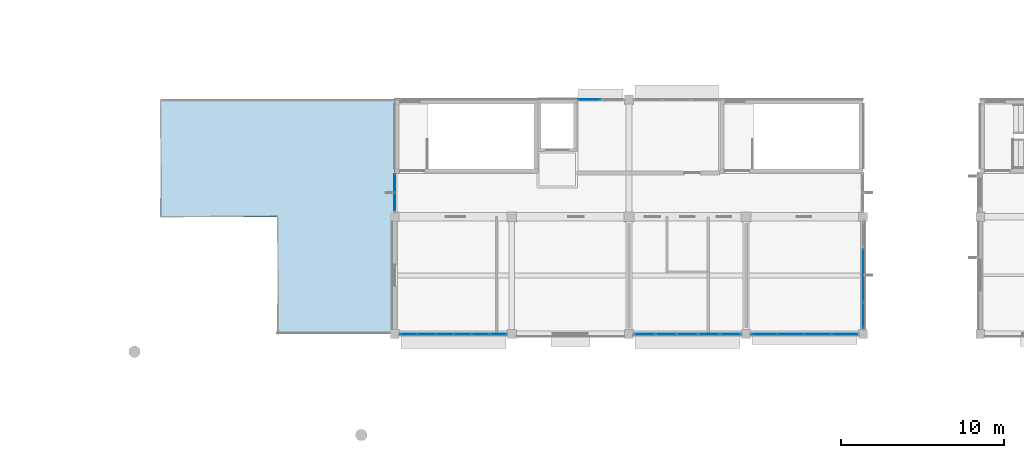
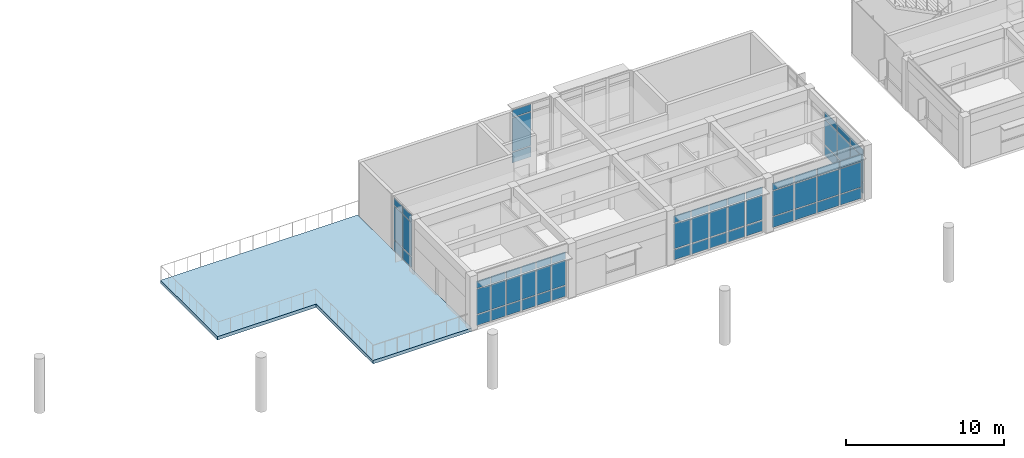
# One storey, part 13 of 41: 63 plates, 1 slab, 6 elements without a shape of their own.
"""IFC4 building model written with IfcOpenShell, lengths in metres."""

from ifc_helpers import new_model, si_unit, direction, frame, origin, origin_2d, place, context, subcontext, project, spatial, polyline, rectangle, outline, extrude, material, layer, layer_set, type_object, element, aggregate, save


model = new_model("IFC4")

# Units and contexts
model_context = context("Model", 3, precision=1e-05, world=origin(), true_north=direction((0.0, 1.0)))
body_context = subcontext(model_context, "Body", "Model", "MODEL_VIEW")
ifc_project = project(units=[si_unit("LENGTHUNIT", "METRE"), si_unit("AREAUNIT", "SQUARE_METRE"), si_unit("VOLUMEUNIT", "CUBIC_METRE"), si_unit("PLANEANGLEUNIT", "RADIAN"), si_unit("MASSUNIT", "GRAM", prefix="KILO")], contexts=[model_context])

# Site, building, storey
site_placement = place(None, origin())
site = spatial("IfcSite", under=ifc_project, at=site_placement, CompositionType="ELEMENT")
building_placement = place(site_placement, origin())
building = spatial("IfcBuilding", under=site, at=building_placement, Name="Namkhue Oval Health Centre", CompositionType="ELEMENT")
storey_placement = place(building_placement, frame((0.0, 0.0, 13.800048828125)))
storey = spatial("IfcBuildingStorey", under=building, at=storey_placement, Name="L03", CompositionType="ELEMENT", Elevation=13.800048828125)

# Curtain wall, plates
ifc_material_1 = material(Name="Anodised aluminium EN AW-6063 T6", Category="aluminium")
ifc_layer_1 = layer(ifc_material_1, 0.159912109375)
ifc_layer_set_1 = layer_set([ifc_layer_1], Name="Anodised aluminium EN AW-6063 T6")
curtain_wall_type_1 = type_object("IfcCurtainWallType", Name="UNITISED CURTAIN WALL M1200", PredefinedType="NOTDEFINED", material=ifc_layer_set_1)
curtain_wall_1_placement = place(storey_placement, origin())
curtain_wall_1 = element("IfcCurtainWall", 1, at=curtain_wall_1_placement, inside=storey, type_object=curtain_wall_type_1, Name="Volume V4 L03 Unitised Curtain Wall 169", PredefinedType="NOTDEFINED")
ifc_material_2 = material(Name="Thermally broken low-E laminated double glazing", Category="glass")
ifc_layer_2 = layer(ifc_material_2, 0.02587890625)
ifc_layer_set_2 = layer_set([ifc_layer_2], Name="Thermally broken low-E laminated double glazing")
plate_type_1 = type_object("IfcPlateType", Name="CURTAIN WALL GLAZED PANEL 26", PredefinedType="CURTAIN_PANEL", material=ifc_layer_set_2)
plate_1_placement = place(storey_placement, frame((58.45458984375, 14.39990234375, 0.06494140625), z_axis=(0.0, 0.0, 1.0), x_axis=(1.0, 0.0, 0.0)))
plate_1 = element("IfcPlate", 2, at=plate_1_placement, type_object=plate_type_1, Name="CW-01 panel 1.1", PredefinedType="CURTAIN_PANEL", context=body_context, shape_type="SweptSolid", body=[
    extrude(rectangle(XDim=1.007080078125, YDim=0.02587890625, at=origin_2d()), origin(), (0.0, 0.0, 1.0), 0.802490234375),
])
plate_2_placement = place(storey_placement, frame((58.45458984375, 14.39990234375, 0.932373046875), z_axis=(0.0, 0.0, 1.0), x_axis=(1.0, 0.0, 0.0)))
plate_2 = element("IfcPlate", 3, at=plate_2_placement, type_object=plate_type_1, Name="CW-01 panel 1.2", PredefinedType="CURTAIN_PANEL", context=body_context, shape_type="SweptSolid", body=[
    extrude(rectangle(XDim=1.007080078125, YDim=0.02587890625, at=origin_2d()), origin(), (0.0, 0.0, 1.0), 1.93505859375),
])
plate_3_placement = place(storey_placement, frame((58.45458984375, 14.39990234375, 2.9326171875), z_axis=(0.0, 0.0, 1.0), x_axis=(1.0, 0.0, 0.0)))
plate_3 = element("IfcPlate", 4, at=plate_3_placement, type_object=plate_type_1, Name="CW-01 panel 1.3", PredefinedType="CURTAIN_PANEL", context=body_context, shape_type="SweptSolid", body=[
    extrude(rectangle(XDim=1.007080078125, YDim=0.02587890625, at=origin_2d()), origin(), (0.0, 0.0, 1.0), 0.552490234375),
])
plate_4_placement = place(storey_placement, frame((59.54296875, 14.39990234375, 0.06494140625), z_axis=(0.0, 0.0, 1.0), x_axis=(1.0, 0.0, 0.0)))
plate_4 = element("IfcPlate", 5, at=plate_4_placement, type_object=plate_type_1, Name="CW-01 panel 2.1", PredefinedType="CURTAIN_PANEL", context=body_context, shape_type="SweptSolid", body=[
    extrude(rectangle(XDim=1.03955078125, YDim=0.02587890625, at=origin_2d()), origin(), (0.0, 0.0, 1.0), 0.802490234375),
])
plate_5_placement = place(storey_placement, frame((59.54296875, 14.39990234375, 0.932373046875), z_axis=(0.0, 0.0, 1.0), x_axis=(1.0, 0.0, 0.0)))
plate_5 = element("IfcPlate", 6, at=plate_5_placement, type_object=plate_type_1, Name="CW-01 panel 2.2", PredefinedType="CURTAIN_PANEL", context=body_context, shape_type="SweptSolid", body=[
    extrude(rectangle(XDim=1.03955078125, YDim=0.02587890625, at=origin_2d()), origin(), (0.0, 0.0, 1.0), 1.93505859375),
])
plate_6_placement = place(storey_placement, frame((59.54296875, 14.39990234375, 2.9326171875), z_axis=(0.0, 0.0, 1.0), x_axis=(1.0, 0.0, 0.0)))
plate_6 = element("IfcPlate", 7, at=plate_6_placement, type_object=plate_type_1, Name="CW-01 panel 2.3", PredefinedType="CURTAIN_PANEL", context=body_context, shape_type="SweptSolid", body=[
    extrude(rectangle(XDim=1.03955078125, YDim=0.02587890625, at=origin_2d()), origin(), (0.0, 0.0, 1.0), 0.552490234375),
])
plate_7_placement = place(storey_placement, frame((60.647705078125, 14.39990234375, 0.06494140625), z_axis=(0.0, 0.0, 1.0), x_axis=(1.0, 0.0, 0.0)))
plate_7 = element("IfcPlate", 8, at=plate_7_placement, type_object=plate_type_1, Name="CW-01 panel 3.1", PredefinedType="CURTAIN_PANEL", context=body_context, shape_type="SweptSolid", body=[
    extrude(rectangle(XDim=1.03955078125, YDim=0.02587890625, at=origin_2d()), origin(), (0.0, 0.0, 1.0), 0.802490234375),
])
plate_8_placement = place(storey_placement, frame((60.647705078125, 14.39990234375, 0.932373046875), z_axis=(0.0, 0.0, 1.0), x_axis=(1.0, 0.0, 0.0)))
plate_8 = element("IfcPlate", 9, at=plate_8_placement, type_object=plate_type_1, Name="CW-01 panel 3.2", PredefinedType="CURTAIN_PANEL", context=body_context, shape_type="SweptSolid", body=[
    extrude(rectangle(XDim=1.03955078125, YDim=0.02587890625, at=origin_2d()), origin(), (0.0, 0.0, 1.0), 1.93505859375),
])
plate_9_placement = place(storey_placement, frame((60.647705078125, 14.39990234375, 2.9326171875), z_axis=(0.0, 0.0, 1.0), x_axis=(1.0, 0.0, 0.0)))
plate_9 = element("IfcPlate", 10, at=plate_9_placement, type_object=plate_type_1, Name="CW-01 panel 3.3", PredefinedType="CURTAIN_PANEL", context=body_context, shape_type="SweptSolid", body=[
    extrude(rectangle(XDim=1.03955078125, YDim=0.02587890625, at=origin_2d()), origin(), (0.0, 0.0, 1.0), 0.552490234375),
])
plate_10_placement = place(storey_placement, frame((61.75244140625, 14.39990234375, 0.06494140625), z_axis=(0.0, 0.0, 1.0), x_axis=(1.0, 0.0, 0.0)))
plate_10 = element("IfcPlate", 11, at=plate_10_placement, type_object=plate_type_1, Name="CW-01 panel 4.1", PredefinedType="CURTAIN_PANEL", context=body_context, shape_type="SweptSolid", body=[
    extrude(rectangle(XDim=1.03955078125, YDim=0.02587890625, at=origin_2d()), origin(), (0.0, 0.0, 1.0), 0.802490234375),
])
plate_11_placement = place(storey_placement, frame((61.75244140625, 14.39990234375, 0.932373046875), z_axis=(0.0, 0.0, 1.0), x_axis=(1.0, 0.0, 0.0)))
plate_11 = element("IfcPlate", 12, at=plate_11_placement, type_object=plate_type_1, Name="CW-01 panel 4.2", PredefinedType="CURTAIN_PANEL", context=body_context, shape_type="SweptSolid", body=[
    extrude(rectangle(XDim=1.03955078125, YDim=0.02587890625, at=origin_2d()), origin(), (0.0, 0.0, 1.0), 1.93505859375),
])
plate_12_placement = place(storey_placement, frame((61.75244140625, 14.39990234375, 2.9326171875), z_axis=(0.0, 0.0, 1.0), x_axis=(1.0, 0.0, 0.0)))
plate_12 = element("IfcPlate", 13, at=plate_12_placement, type_object=plate_type_1, Name="CW-01 panel 4.3", PredefinedType="CURTAIN_PANEL", context=body_context, shape_type="SweptSolid", body=[
    extrude(rectangle(XDim=1.03955078125, YDim=0.02587890625, at=origin_2d()), origin(), (0.0, 0.0, 1.0), 0.552490234375),
])
plate_13_placement = place(storey_placement, frame((62.85693359375, 14.39990234375, 0.06494140625), z_axis=(0.0, 0.0, 1.0), x_axis=(1.0, 0.0, 0.0)))
plate_13 = element("IfcPlate", 14, at=plate_13_placement, type_object=plate_type_1, Name="CW-01 panel 5.1", PredefinedType="CURTAIN_PANEL", context=body_context, shape_type="SweptSolid", body=[
    extrude(rectangle(XDim=1.03955078125, YDim=0.02587890625, at=origin_2d()), origin(), (0.0, 0.0, 1.0), 0.802490234375),
])
plate_14_placement = place(storey_placement, frame((62.85693359375, 14.39990234375, 0.932373046875), z_axis=(0.0, 0.0, 1.0), x_axis=(1.0, 0.0, 0.0)))
plate_14 = element("IfcPlate", 15, at=plate_14_placement, type_object=plate_type_1, Name="CW-01 panel 5.2", PredefinedType="CURTAIN_PANEL", context=body_context, shape_type="SweptSolid", body=[
    extrude(rectangle(XDim=1.03955078125, YDim=0.02587890625, at=origin_2d()), origin(), (0.0, 0.0, 1.0), 1.93505859375),
])
plate_15_placement = place(storey_placement, frame((62.85693359375, 14.39990234375, 2.9326171875), z_axis=(0.0, 0.0, 1.0), x_axis=(1.0, 0.0, 0.0)))
plate_15 = element("IfcPlate", 16, at=plate_15_placement, type_object=plate_type_1, Name="CW-01 panel 5.3", PredefinedType="CURTAIN_PANEL", context=body_context, shape_type="SweptSolid", body=[
    extrude(rectangle(XDim=1.03955078125, YDim=0.02587890625, at=origin_2d()), origin(), (0.0, 0.0, 1.0), 0.552490234375),
])
plate_16_placement = place(storey_placement, frame((63.9453125, 14.39990234375, 0.06494140625), z_axis=(0.0, 0.0, 1.0), x_axis=(1.0, 0.0, 0.0)))
plate_16 = element("IfcPlate", 17, at=plate_16_placement, type_object=plate_type_1, Name="CW-01 panel 6.1", PredefinedType="CURTAIN_PANEL", context=body_context, shape_type="SweptSolid", body=[
    extrude(rectangle(XDim=1.007080078125, YDim=0.02587890625, at=origin_2d()), origin(), (0.0, 0.0, 1.0), 0.802490234375),
])
plate_17_placement = place(storey_placement, frame((63.9453125, 14.39990234375, 0.932373046875), z_axis=(0.0, 0.0, 1.0), x_axis=(1.0, 0.0, 0.0)))
plate_17 = element("IfcPlate", 18, at=plate_17_placement, type_object=plate_type_1, Name="CW-01 panel 6.2", PredefinedType="CURTAIN_PANEL", context=body_context, shape_type="SweptSolid", body=[
    extrude(rectangle(XDim=1.007080078125, YDim=0.02587890625, at=origin_2d()), origin(), (0.0, 0.0, 1.0), 1.93505859375),
])
plate_18_placement = place(storey_placement, frame((63.9453125, 14.39990234375, 2.9326171875), z_axis=(0.0, 0.0, 1.0), x_axis=(1.0, 0.0, 0.0)))
plate_18 = element("IfcPlate", 19, at=plate_18_placement, type_object=plate_type_1, Name="CW-01 panel 6.3", PredefinedType="CURTAIN_PANEL", context=body_context, shape_type="SweptSolid", body=[
    extrude(rectangle(XDim=1.007080078125, YDim=0.02587890625, at=origin_2d()), origin(), (0.0, 0.0, 1.0), 0.552490234375),
])
aggregate(curtain_wall_1, [plate_1, plate_2, plate_3, plate_4, plate_5, plate_6, plate_7, plate_8, plate_9, plate_10, plate_11, plate_12, plate_13, plate_14, plate_15, plate_16, plate_17, plate_18])

ifc_layer_3 = layer(ifc_material_1, 0.159912109375)
ifc_layer_set_3 = layer_set([ifc_layer_3], Name="Anodised aluminium EN AW-6063 T6")
curtain_wall_type_2 = type_object("IfcCurtainWallType", Name="UNITISED CURTAIN WALL M1350", PredefinedType="NOTDEFINED", material=ifc_layer_set_3)
curtain_wall_2_placement = place(storey_placement, origin())
curtain_wall_2 = element("IfcCurtainWall", 20, at=curtain_wall_2_placement, inside=storey, type_object=curtain_wall_type_2, Name="Volume V4 L03 Unitised Curtain Wall 170", PredefinedType="NOTDEFINED")
ifc_layer_4 = layer(ifc_material_2, 0.028076171875)
ifc_layer_set_4 = layer_set([ifc_layer_4], Name="Thermally broken low-E laminated double glazing")
plate_type_2 = type_object("IfcPlateType", Name="CURTAIN WALL GLAZED PANEL 28", PredefinedType="CURTAIN_PANEL", material=ifc_layer_set_4)
plate_19_placement = place(storey_placement, frame((72.967529296875, 14.39990234375, 0.074951171875), z_axis=(0.0, 0.0, 1.0), x_axis=(1.0, 0.0, 0.0)))
plate_19 = element("IfcPlate", 21, at=plate_19_placement, type_object=plate_type_2, Name="CW-02 panel 1.1", PredefinedType="CURTAIN_PANEL", context=body_context, shape_type="SweptSolid", body=[
    extrude(rectangle(XDim=1.213134765625, YDim=0.028076171875, at=origin_2d()), origin(), (0.0, 0.0, 1.0), 0.78759765625),
])
plate_20_placement = place(storey_placement, frame((72.967529296875, 14.39990234375, 0.9375), z_axis=(0.0, 0.0, 1.0), x_axis=(1.0, 0.0, 0.0)))
plate_20 = element("IfcPlate", 22, at=plate_20_placement, type_object=plate_type_2, Name="CW-02 panel 1.2", PredefinedType="CURTAIN_PANEL", context=body_context, shape_type="SweptSolid", body=[
    extrude(rectangle(XDim=1.213134765625, YDim=0.028076171875, at=origin_2d()), origin(), (0.0, 0.0, 1.0), 1.925048828125),
])
plate_21_placement = place(storey_placement, frame((72.967529296875, 14.39990234375, 2.9375), z_axis=(0.0, 0.0, 1.0), x_axis=(1.0, 0.0, 0.0)))
plate_21 = element("IfcPlate", 23, at=plate_21_placement, type_object=plate_type_2, Name="CW-02 panel 1.3", PredefinedType="CURTAIN_PANEL", context=body_context, shape_type="SweptSolid", body=[
    extrude(rectangle(XDim=1.213134765625, YDim=0.028076171875, at=origin_2d()), origin(), (0.0, 0.0, 1.0), 0.53759765625),
])
plate_22_placement = place(storey_placement, frame((74.2744140625, 14.39990234375, 0.074951171875), z_axis=(0.0, 0.0, 1.0), x_axis=(1.0, 0.0, 0.0)))
plate_22 = element("IfcPlate", 24, at=plate_22_placement, type_object=plate_type_2, Name="CW-02 panel 2.1", PredefinedType="CURTAIN_PANEL", context=body_context, shape_type="SweptSolid", body=[
    extrude(rectangle(XDim=1.25048828125, YDim=0.028076171875, at=origin_2d()), origin(), (0.0, 0.0, 1.0), 0.78759765625),
])
plate_23_placement = place(storey_placement, frame((74.2744140625, 14.39990234375, 0.9375), z_axis=(0.0, 0.0, 1.0), x_axis=(1.0, 0.0, 0.0)))
plate_23 = element("IfcPlate", 25, at=plate_23_placement, type_object=plate_type_2, Name="CW-02 panel 2.2", PredefinedType="CURTAIN_PANEL", context=body_context, shape_type="SweptSolid", body=[
    extrude(rectangle(XDim=1.25048828125, YDim=0.028076171875, at=origin_2d()), origin(), (0.0, 0.0, 1.0), 1.925048828125),
])
plate_24_placement = place(storey_placement, frame((74.2744140625, 14.39990234375, 2.9375), z_axis=(0.0, 0.0, 1.0), x_axis=(1.0, 0.0, 0.0)))
plate_24 = element("IfcPlate", 26, at=plate_24_placement, type_object=plate_type_2, Name="CW-02 panel 2.3", PredefinedType="CURTAIN_PANEL", context=body_context, shape_type="SweptSolid", body=[
    extrude(rectangle(XDim=1.25048828125, YDim=0.028076171875, at=origin_2d()), origin(), (0.0, 0.0, 1.0), 0.53759765625),
])
plate_25_placement = place(storey_placement, frame((75.60009765625, 14.39990234375, 0.074951171875), z_axis=(0.0, 0.0, 1.0), x_axis=(1.0, 0.0, 0.0)))
plate_25 = element("IfcPlate", 27, at=plate_25_placement, type_object=plate_type_2, Name="CW-02 panel 3.1", PredefinedType="CURTAIN_PANEL", context=body_context, shape_type="SweptSolid", body=[
    extrude(rectangle(XDim=1.25048828125, YDim=0.028076171875, at=origin_2d()), origin(), (0.0, 0.0, 1.0), 0.78759765625),
])
plate_26_placement = place(storey_placement, frame((75.60009765625, 14.39990234375, 0.9375), z_axis=(0.0, 0.0, 1.0), x_axis=(1.0, 0.0, 0.0)))
plate_26 = element("IfcPlate", 28, at=plate_26_placement, type_object=plate_type_2, Name="CW-02 panel 3.2", PredefinedType="CURTAIN_PANEL", context=body_context, shape_type="SweptSolid", body=[
    extrude(rectangle(XDim=1.25048828125, YDim=0.028076171875, at=origin_2d()), origin(), (0.0, 0.0, 1.0), 1.925048828125),
])
plate_27_placement = place(storey_placement, frame((75.60009765625, 14.39990234375, 2.9375), z_axis=(0.0, 0.0, 1.0), x_axis=(1.0, 0.0, 0.0)))
plate_27 = element("IfcPlate", 29, at=plate_27_placement, type_object=plate_type_2, Name="CW-02 panel 3.3", PredefinedType="CURTAIN_PANEL", context=body_context, shape_type="SweptSolid", body=[
    extrude(rectangle(XDim=1.25048828125, YDim=0.028076171875, at=origin_2d()), origin(), (0.0, 0.0, 1.0), 0.53759765625),
])
plate_28_placement = place(storey_placement, frame((76.925537109375, 14.39990234375, 0.074951171875), z_axis=(0.0, 0.0, 1.0), x_axis=(1.0, 0.0, 0.0)))
plate_28 = element("IfcPlate", 30, at=plate_28_placement, type_object=plate_type_2, Name="CW-02 panel 4.1", PredefinedType="CURTAIN_PANEL", context=body_context, shape_type="SweptSolid", body=[
    extrude(rectangle(XDim=1.25048828125, YDim=0.028076171875, at=origin_2d()), origin(), (0.0, 0.0, 1.0), 0.78759765625),
])
plate_29_placement = place(storey_placement, frame((76.925537109375, 14.39990234375, 0.9375), z_axis=(0.0, 0.0, 1.0), x_axis=(1.0, 0.0, 0.0)))
plate_29 = element("IfcPlate", 31, at=plate_29_placement, type_object=plate_type_2, Name="CW-02 panel 4.2", PredefinedType="CURTAIN_PANEL", context=body_context, shape_type="SweptSolid", body=[
    extrude(rectangle(XDim=1.25048828125, YDim=0.028076171875, at=origin_2d()), origin(), (0.0, 0.0, 1.0), 1.925048828125),
])
plate_30_placement = place(storey_placement, frame((76.925537109375, 14.39990234375, 2.9375), z_axis=(0.0, 0.0, 1.0), x_axis=(1.0, 0.0, 0.0)))
plate_30 = element("IfcPlate", 32, at=plate_30_placement, type_object=plate_type_2, Name="CW-02 panel 4.3", PredefinedType="CURTAIN_PANEL", context=body_context, shape_type="SweptSolid", body=[
    extrude(rectangle(XDim=1.25048828125, YDim=0.028076171875, at=origin_2d()), origin(), (0.0, 0.0, 1.0), 0.53759765625),
])
plate_31_placement = place(storey_placement, frame((78.232421875, 14.39990234375, 0.074951171875), z_axis=(0.0, 0.0, 1.0), x_axis=(1.0, 0.0, 0.0)))
plate_31 = element("IfcPlate", 33, at=plate_31_placement, type_object=plate_type_2, Name="CW-02 panel 5.1", PredefinedType="CURTAIN_PANEL", context=body_context, shape_type="SweptSolid", body=[
    extrude(rectangle(XDim=1.213134765625, YDim=0.028076171875, at=origin_2d()), origin(), (0.0, 0.0, 1.0), 0.78759765625),
])
plate_32_placement = place(storey_placement, frame((78.232421875, 14.39990234375, 0.9375), z_axis=(0.0, 0.0, 1.0), x_axis=(1.0, 0.0, 0.0)))
plate_32 = element("IfcPlate", 34, at=plate_32_placement, type_object=plate_type_2, Name="CW-02 panel 5.2", PredefinedType="CURTAIN_PANEL", context=body_context, shape_type="SweptSolid", body=[
    extrude(rectangle(XDim=1.213134765625, YDim=0.028076171875, at=origin_2d()), origin(), (0.0, 0.0, 1.0), 1.925048828125),
])
plate_33_placement = place(storey_placement, frame((78.232421875, 14.39990234375, 2.9375), z_axis=(0.0, 0.0, 1.0), x_axis=(1.0, 0.0, 0.0)))
plate_33 = element("IfcPlate", 35, at=plate_33_placement, type_object=plate_type_2, Name="CW-02 panel 5.3", PredefinedType="CURTAIN_PANEL", context=body_context, shape_type="SweptSolid", body=[
    extrude(rectangle(XDim=1.213134765625, YDim=0.028076171875, at=origin_2d()), origin(), (0.0, 0.0, 1.0), 0.53759765625),
])
aggregate(curtain_wall_2, [plate_19, plate_20, plate_21, plate_22, plate_23, plate_24, plate_25, plate_26, plate_27, plate_28, plate_29, plate_30, plate_31, plate_32, plate_33])

ifc_layer_5 = layer(ifc_material_1, 0.159912109375)
ifc_layer_set_5 = layer_set([ifc_layer_5], Name="Anodised aluminium EN AW-6063 T6")
curtain_wall_type_3 = type_object("IfcCurtainWallType", Name="UNITISED CURTAIN WALL M1500", PredefinedType="NOTDEFINED", material=ifc_layer_set_5)
curtain_wall_3_placement = place(storey_placement, origin())
curtain_wall_3 = element("IfcCurtainWall", 36, at=curtain_wall_3_placement, inside=storey, type_object=curtain_wall_type_3, Name="Volume V4 L03 Unitised Curtain Wall 171", PredefinedType="NOTDEFINED")
ifc_material_3 = material(Name="Insulated anodised aluminium spandrel panel", Category="aluminium")
ifc_layer_6 = layer(ifc_material_3, 0.031982421875)
ifc_layer_set_6 = layer_set([ifc_layer_6], Name="Insulated anodised aluminium spandrel panel")
plate_type_3 = type_object("IfcPlateType", Name="CURTAIN WALL SPANDREL PANEL 32", PredefinedType="CURTAIN_PANEL", material=ifc_layer_set_6)
plate_34_placement = place(storey_placement, frame((80.330810546875, 14.39990234375, 0.06494140625), z_axis=(0.0, 0.0, 1.0), x_axis=(1.0, 0.0, 0.0)))
plate_34 = element("IfcPlate", 37, at=plate_34_placement, type_object=plate_type_3, Name="CW-03 panel 1.1", PredefinedType="CURTAIN_PANEL", context=body_context, shape_type="SweptSolid", body=[
    extrude(rectangle(XDim=1.5595703125, YDim=0.031982421875, at=origin_2d()), origin(), (0.0, 0.0, 1.0), 0.802490234375),
])
plate_35_placement = place(storey_placement, frame((80.330810546875, 14.39990234375, 0.932373046875), z_axis=(0.0, 0.0, 1.0), x_axis=(1.0, 0.0, 0.0)))
plate_35 = element("IfcPlate", 38, at=plate_35_placement, type_object=plate_type_3, Name="CW-03 panel 1.2", PredefinedType="CURTAIN_PANEL", context=body_context, shape_type="SweptSolid", body=[
    extrude(rectangle(XDim=1.5595703125, YDim=0.031982421875, at=origin_2d()), origin(), (0.0, 0.0, 1.0), 1.93505859375),
])
plate_36_placement = place(storey_placement, frame((80.330810546875, 14.39990234375, 2.9326171875), z_axis=(0.0, 0.0, 1.0), x_axis=(1.0, 0.0, 0.0)))
plate_36 = element("IfcPlate", 39, at=plate_36_placement, type_object=plate_type_3, Name="CW-03 panel 1.3", PredefinedType="CURTAIN_PANEL", context=body_context, shape_type="SweptSolid", body=[
    extrude(rectangle(XDim=1.5595703125, YDim=0.031982421875, at=origin_2d()), origin(), (0.0, 0.0, 1.0), 0.552490234375),
])
plate_37_placement = place(storey_placement, frame((81.971435546875, 14.39990234375, 0.06494140625), z_axis=(0.0, 0.0, 1.0), x_axis=(1.0, 0.0, 0.0)))
plate_37 = element("IfcPlate", 40, at=plate_37_placement, type_object=plate_type_3, Name="CW-03 panel 2.1", PredefinedType="CURTAIN_PANEL", context=body_context, shape_type="SweptSolid", body=[
    extrude(rectangle(XDim=1.592041015625, YDim=0.031982421875, at=origin_2d()), origin(), (0.0, 0.0, 1.0), 0.802490234375),
])
plate_38_placement = place(storey_placement, frame((81.971435546875, 14.39990234375, 0.932373046875), z_axis=(0.0, 0.0, 1.0), x_axis=(1.0, 0.0, 0.0)))
plate_38 = element("IfcPlate", 41, at=plate_38_placement, type_object=plate_type_3, Name="CW-03 panel 2.2", PredefinedType="CURTAIN_PANEL", context=body_context, shape_type="SweptSolid", body=[
    extrude(rectangle(XDim=1.592041015625, YDim=0.031982421875, at=origin_2d()), origin(), (0.0, 0.0, 1.0), 1.93505859375),
])
plate_39_placement = place(storey_placement, frame((81.971435546875, 14.39990234375, 2.9326171875), z_axis=(0.0, 0.0, 1.0), x_axis=(1.0, 0.0, 0.0)))
plate_39 = element("IfcPlate", 42, at=plate_39_placement, type_object=plate_type_3, Name="CW-03 panel 2.3", PredefinedType="CURTAIN_PANEL", context=body_context, shape_type="SweptSolid", body=[
    extrude(rectangle(XDim=1.592041015625, YDim=0.031982421875, at=origin_2d()), origin(), (0.0, 0.0, 1.0), 0.552490234375),
])
plate_40_placement = place(storey_placement, frame((83.62841796875, 14.39990234375, 0.06494140625), z_axis=(0.0, 0.0, 1.0), x_axis=(1.0, 0.0, 0.0)))
plate_40 = element("IfcPlate", 43, at=plate_40_placement, type_object=plate_type_3, Name="CW-03 panel 3.1", PredefinedType="CURTAIN_PANEL", context=body_context, shape_type="SweptSolid", body=[
    extrude(rectangle(XDim=1.592041015625, YDim=0.031982421875, at=origin_2d()), origin(), (0.0, 0.0, 1.0), 0.802490234375),
])
plate_41_placement = place(storey_placement, frame((83.62841796875, 14.39990234375, 0.932373046875), z_axis=(0.0, 0.0, 1.0), x_axis=(1.0, 0.0, 0.0)))
plate_41 = element("IfcPlate", 44, at=plate_41_placement, type_object=plate_type_3, Name="CW-03 panel 3.2", PredefinedType="CURTAIN_PANEL", context=body_context, shape_type="SweptSolid", body=[
    extrude(rectangle(XDim=1.592041015625, YDim=0.031982421875, at=origin_2d()), origin(), (0.0, 0.0, 1.0), 1.93505859375),
])
plate_42_placement = place(storey_placement, frame((83.62841796875, 14.39990234375, 2.9326171875), z_axis=(0.0, 0.0, 1.0), x_axis=(1.0, 0.0, 0.0)))
plate_42 = element("IfcPlate", 45, at=plate_42_placement, type_object=plate_type_3, Name="CW-03 panel 3.3", PredefinedType="CURTAIN_PANEL", context=body_context, shape_type="SweptSolid", body=[
    extrude(rectangle(XDim=1.592041015625, YDim=0.031982421875, at=origin_2d()), origin(), (0.0, 0.0, 1.0), 0.552490234375),
])
plate_43_placement = place(storey_placement, frame((85.269287109375, 14.39990234375, 0.06494140625), z_axis=(0.0, 0.0, 1.0), x_axis=(1.0, 0.0, 0.0)))
plate_43 = element("IfcPlate", 46, at=plate_43_placement, type_object=plate_type_3, Name="CW-03 panel 4.1", PredefinedType="CURTAIN_PANEL", context=body_context, shape_type="SweptSolid", body=[
    extrude(rectangle(XDim=1.5595703125, YDim=0.031982421875, at=origin_2d()), origin(), (0.0, 0.0, 1.0), 0.802490234375),
])
plate_44_placement = place(storey_placement, frame((85.269287109375, 14.39990234375, 0.932373046875), z_axis=(0.0, 0.0, 1.0), x_axis=(1.0, 0.0, 0.0)))
plate_44 = element("IfcPlate", 47, at=plate_44_placement, type_object=plate_type_3, Name="CW-03 panel 4.2", PredefinedType="CURTAIN_PANEL", context=body_context, shape_type="SweptSolid", body=[
    extrude(rectangle(XDim=1.5595703125, YDim=0.031982421875, at=origin_2d()), origin(), (0.0, 0.0, 1.0), 1.93505859375),
])
plate_45_placement = place(storey_placement, frame((85.269287109375, 14.39990234375, 2.9326171875), z_axis=(0.0, 0.0, 1.0), x_axis=(1.0, 0.0, 0.0)))
plate_45 = element("IfcPlate", 48, at=plate_45_placement, type_object=plate_type_3, Name="CW-03 panel 4.3", PredefinedType="CURTAIN_PANEL", context=body_context, shape_type="SweptSolid", body=[
    extrude(rectangle(XDim=1.5595703125, YDim=0.031982421875, at=origin_2d()), origin(), (0.0, 0.0, 1.0), 0.552490234375),
])
aggregate(curtain_wall_3, [plate_34, plate_35, plate_36, plate_37, plate_38, plate_39, plate_40, plate_41, plate_42, plate_43, plate_44, plate_45])

curtain_wall_4_placement = place(storey_placement, origin())
curtain_wall_4 = element("IfcCurtainWall", 49, at=curtain_wall_4_placement, inside=storey, type_object=curtain_wall_type_1, Name="Volume V4 L03 Unitised Curtain Wall 175", PredefinedType="NOTDEFINED")
plate_46_placement = place(storey_placement, frame((69.5576171875, 28.800048828125, 0.06494140625), z_axis=(0.0, 0.0, 1.0), x_axis=(-1.0, 0.0, 0.0)))
plate_46 = element("IfcPlate", 50, at=plate_46_placement, type_object=plate_type_3, Name="CW-01 panel 2.1", PredefinedType="CURTAIN_PANEL", context=body_context, shape_type="SweptSolid", body=[
    extrude(rectangle(XDim=1.35107421875, YDim=0.031982421875, at=origin_2d()), origin(), (0.0, 0.0, 1.0), 0.802490234375),
])
plate_47_placement = place(storey_placement, frame((69.5576171875, 28.800048828125, 0.932373046875), z_axis=(0.0, 0.0, 1.0), x_axis=(-1.0, 0.0, 0.0)))
plate_47 = element("IfcPlate", 51, at=plate_47_placement, type_object=plate_type_3, Name="CW-01 panel 2.2", PredefinedType="CURTAIN_PANEL", context=body_context, shape_type="SweptSolid", body=[
    extrude(rectangle(XDim=1.35107421875, YDim=0.031982421875, at=origin_2d()), origin(), (0.0, 0.0, 1.0), 2.5849609375),
])
plate_48_placement = place(storey_placement, frame((69.5576171875, 28.800048828125, 3.58251953125), z_axis=(0.0, 0.0, 1.0), x_axis=(-1.0, 0.0, 0.0)))
plate_48 = element("IfcPlate", 52, at=plate_48_placement, type_object=plate_type_3, Name="CW-01 panel 2.3", PredefinedType="CURTAIN_PANEL", context=body_context, shape_type="SweptSolid", body=[
    extrude(rectangle(XDim=1.35107421875, YDim=0.031982421875, at=origin_2d()), origin(), (0.0, 0.0, 1.0), 0.552490234375),
])
aggregate(curtain_wall_4, [plate_46, plate_47, plate_48])

ifc_layer_7 = layer(ifc_material_1, 0.159912109375)
ifc_layer_set_7 = layer_set([ifc_layer_7], Name="Anodised aluminium EN AW-6063 T6")
curtain_wall_type_4 = type_object("IfcCurtainWallType", Name="UNITISED CURTAIN WALL M1600", PredefinedType="NOTDEFINED", material=ifc_layer_set_7)
curtain_wall_5_placement = place(storey_placement, origin())
curtain_wall_5 = element("IfcCurtainWall", 53, at=curtain_wall_5_placement, inside=storey, type_object=curtain_wall_type_4, Name="Volume V4 L03 Unitised Curtain Wall 172", PredefinedType="NOTDEFINED")
ifc_layer_8 = layer(ifc_material_3, 0.035888671875)
ifc_layer_set_8 = layer_set([ifc_layer_8], Name="Insulated anodised aluminium spandrel panel")
plate_type_4 = type_object("IfcPlateType", Name="CURTAIN WALL SPANDREL PANEL 36", PredefinedType="CURTAIN_PANEL", material=ifc_layer_set_8)
plate_49_placement = place(storey_placement, frame((86.39990234375, 15.533203125, 0.074951171875), z_axis=(0.0, 0.0, 1.0), x_axis=(0.0, 1.0, 0.0)))
plate_49 = element("IfcPlate", 54, at=plate_49_placement, type_object=plate_type_4, Name="CW-04 panel 1.1", PredefinedType="CURTAIN_PANEL", context=body_context, shape_type="SweptSolid", body=[
    extrude(rectangle(XDim=1.54443359375, YDim=0.035888671875, at=origin_2d()), origin(), (0.0, 0.0, 1.0), 0.78759765625),
])
plate_50_placement = place(storey_placement, frame((86.39990234375, 15.533203125, 0.9375), z_axis=(0.0, 0.0, 1.0), x_axis=(0.0, 1.0, 0.0)))
plate_50 = element("IfcPlate", 55, at=plate_50_placement, type_object=plate_type_4, Name="CW-04 panel 1.2", PredefinedType="CURTAIN_PANEL", context=body_context, shape_type="SweptSolid", body=[
    extrude(rectangle(XDim=1.54443359375, YDim=0.035888671875, at=origin_2d()), origin(), (0.0, 0.0, 1.0), 1.925048828125),
])
plate_51_placement = place(storey_placement, frame((86.39990234375, 15.533203125, 2.9375), z_axis=(0.0, 0.0, 1.0), x_axis=(0.0, 1.0, 0.0)))
plate_51 = element("IfcPlate", 56, at=plate_51_placement, type_object=plate_type_4, Name="CW-04 panel 1.3", PredefinedType="CURTAIN_PANEL", context=body_context, shape_type="SweptSolid", body=[
    extrude(rectangle(XDim=1.54443359375, YDim=0.035888671875, at=origin_2d()), origin(), (0.0, 0.0, 1.0), 0.53759765625),
])
plate_52_placement = place(storey_placement, frame((86.39990234375, 17.17138671875, 0.074951171875), z_axis=(0.0, 0.0, 1.0), x_axis=(0.0, 1.0, 0.0)))
plate_52 = element("IfcPlate", 57, at=plate_52_placement, type_object=plate_type_4, Name="CW-04 panel 2.1", PredefinedType="CURTAIN_PANEL", context=body_context, shape_type="SweptSolid", body=[
    extrude(rectangle(XDim=1.58203125, YDim=0.035888671875, at=origin_2d()), origin(), (0.0, 0.0, 1.0), 0.78759765625),
])
plate_53_placement = place(storey_placement, frame((86.39990234375, 17.17138671875, 0.9375), z_axis=(0.0, 0.0, 1.0), x_axis=(0.0, 1.0, 0.0)))
plate_53 = element("IfcPlate", 58, at=plate_53_placement, type_object=plate_type_4, Name="CW-04 panel 2.2", PredefinedType="CURTAIN_PANEL", context=body_context, shape_type="SweptSolid", body=[
    extrude(rectangle(XDim=1.58203125, YDim=0.035888671875, at=origin_2d()), origin(), (0.0, 0.0, 1.0), 1.925048828125),
])
plate_54_placement = place(storey_placement, frame((86.39990234375, 17.17138671875, 2.9375), z_axis=(0.0, 0.0, 1.0), x_axis=(0.0, 1.0, 0.0)))
plate_54 = element("IfcPlate", 59, at=plate_54_placement, type_object=plate_type_4, Name="CW-04 panel 2.3", PredefinedType="CURTAIN_PANEL", context=body_context, shape_type="SweptSolid", body=[
    extrude(rectangle(XDim=1.58203125, YDim=0.035888671875, at=origin_2d()), origin(), (0.0, 0.0, 1.0), 0.53759765625),
])
plate_55_placement = place(storey_placement, frame((86.39990234375, 18.82861328125, 0.074951171875), z_axis=(0.0, 0.0, 1.0), x_axis=(0.0, 1.0, 0.0)))
plate_55 = element("IfcPlate", 60, at=plate_55_placement, type_object=plate_type_4, Name="CW-04 panel 3.1", PredefinedType="CURTAIN_PANEL", context=body_context, shape_type="SweptSolid", body=[
    extrude(rectangle(XDim=1.58203125, YDim=0.035888671875, at=origin_2d()), origin(), (0.0, 0.0, 1.0), 0.78759765625),
])
plate_56_placement = place(storey_placement, frame((86.39990234375, 18.82861328125, 0.9375), z_axis=(0.0, 0.0, 1.0), x_axis=(0.0, 1.0, 0.0)))
plate_56 = element("IfcPlate", 61, at=plate_56_placement, type_object=plate_type_4, Name="CW-04 panel 3.2", PredefinedType="CURTAIN_PANEL", context=body_context, shape_type="SweptSolid", body=[
    extrude(rectangle(XDim=1.58203125, YDim=0.035888671875, at=origin_2d()), origin(), (0.0, 0.0, 1.0), 1.925048828125),
])
plate_57_placement = place(storey_placement, frame((86.39990234375, 18.82861328125, 2.9375), z_axis=(0.0, 0.0, 1.0), x_axis=(0.0, 1.0, 0.0)))
plate_57 = element("IfcPlate", 62, at=plate_57_placement, type_object=plate_type_4, Name="CW-04 panel 3.3", PredefinedType="CURTAIN_PANEL", context=body_context, shape_type="SweptSolid", body=[
    extrude(rectangle(XDim=1.58203125, YDim=0.035888671875, at=origin_2d()), origin(), (0.0, 0.0, 1.0), 0.53759765625),
])
aggregate(curtain_wall_5, [plate_49, plate_50, plate_51, plate_52, plate_53, plate_54, plate_55, plate_56, plate_57])

curtain_wall_6_placement = place(storey_placement, origin())
curtain_wall_6 = element("IfcCurtainWall", 63, at=curtain_wall_6_placement, inside=storey, type_object=curtain_wall_type_2, Name="Volume V4 L03 Unitised Curtain Wall 176", PredefinedType="NOTDEFINED")
plate_58_placement = place(storey_placement, frame((57.60009765625, 23.6650390625, 0.074951171875), z_axis=(0.0, 0.0, 1.0), x_axis=(0.0, -1.0, 0.0)))
plate_58 = element("IfcPlate", 64, at=plate_58_placement, type_object=plate_type_4, Name="CW-02 panel 1.1", PredefinedType="CURTAIN_PANEL", context=body_context, shape_type="SweptSolid", body=[
    extrude(rectangle(XDim=1.0859375, YDim=0.035888671875, at=origin_2d()), origin(), (0.0, 0.0, 1.0), 0.78759765625),
])
plate_59_placement = place(storey_placement, frame((57.60009765625, 23.6650390625, 0.9375), z_axis=(0.0, 0.0, 1.0), x_axis=(0.0, -1.0, 0.0)))
plate_59 = element("IfcPlate", 65, at=plate_59_placement, type_object=plate_type_4, Name="CW-02 panel 1.2", PredefinedType="CURTAIN_PANEL", context=body_context, shape_type="SweptSolid", body=[
    extrude(rectangle(XDim=1.0859375, YDim=0.035888671875, at=origin_2d()), origin(), (0.0, 0.0, 1.0), 2.574951171875),
])
plate_60_placement = place(storey_placement, frame((57.60009765625, 23.6650390625, 3.58740234375), z_axis=(0.0, 0.0, 1.0), x_axis=(0.0, -1.0, 0.0)))
plate_60 = element("IfcPlate", 66, at=plate_60_placement, type_object=plate_type_4, Name="CW-02 panel 1.3", PredefinedType="CURTAIN_PANEL", context=body_context, shape_type="SweptSolid", body=[
    extrude(rectangle(XDim=1.0859375, YDim=0.035888671875, at=origin_2d()), origin(), (0.0, 0.0, 1.0), 0.53759765625),
])
plate_61_placement = place(storey_placement, frame((57.60009765625, 22.50390625, 0.074951171875), z_axis=(0.0, 0.0, 1.0), x_axis=(0.0, -1.0, 0.0)))
plate_61 = element("IfcPlate", 67, at=plate_61_placement, type_object=plate_type_4, Name="CW-02 panel 2.1", PredefinedType="CURTAIN_PANEL", context=body_context, shape_type="SweptSolid", body=[
    extrude(rectangle(XDim=1.0859375, YDim=0.035888671875, at=origin_2d()), origin(), (0.0, 0.0, 1.0), 0.78759765625),
])
plate_62_placement = place(storey_placement, frame((57.60009765625, 22.50390625, 0.9375), z_axis=(0.0, 0.0, 1.0), x_axis=(0.0, -1.0, 0.0)))
plate_62 = element("IfcPlate", 68, at=plate_62_placement, type_object=plate_type_4, Name="CW-02 panel 2.2", PredefinedType="CURTAIN_PANEL", context=body_context, shape_type="SweptSolid", body=[
    extrude(rectangle(XDim=1.0859375, YDim=0.035888671875, at=origin_2d()), origin(), (0.0, 0.0, 1.0), 2.574951171875),
])
plate_63_placement = place(storey_placement, frame((57.60009765625, 22.50390625, 3.58740234375), z_axis=(0.0, 0.0, 1.0), x_axis=(0.0, -1.0, 0.0)))
plate_63 = element("IfcPlate", 69, at=plate_63_placement, type_object=plate_type_4, Name="CW-02 panel 2.3", PredefinedType="CURTAIN_PANEL", context=body_context, shape_type="SweptSolid", body=[
    extrude(rectangle(XDim=1.0859375, YDim=0.035888671875, at=origin_2d()), origin(), (0.0, 0.0, 1.0), 0.53759765625),
])
aggregate(curtain_wall_6, [plate_58, plate_59, plate_60, plate_61, plate_62, plate_63])

# Slab
ifc_material_4 = material(Name="Reinforced concrete C30/37 (TCVN B35)", Category="concrete")
ifc_layer_9 = layer(ifc_material_4, 0.258056640625)
ifc_layer_set_9 = layer_set([ifc_layer_9], Name="Reinforced concrete C30/37 (TCVN B35)")
slab_type = type_object("IfcSlabType", Name="EXTERIOR TERRACE SLAB 258", PredefinedType="FLOOR", material=ifc_layer_set_9)
slab_placement = place(storey_placement, frame((0.0, 0.0, -0.258056640625)))
element("IfcSlab", 70, at=slab_placement, inside=storey, type_object=slab_type, Name="Volume V4 L03 Exterior Roof Terrace Slab", PredefinedType="FLOOR", context=body_context, shape_type="SweptSolid", body=[
    extrude(outline(polyline([(50.39990234375, 14.39990234375), (57.60009765625, 14.39990234375), (57.60009765625, 28.800048828125), (43.199951171875, 28.800048828125), (43.199951171875, 21.60009765625), (50.39990234375, 21.60009765625), (50.39990234375, 14.39990234375)])), origin(), (0.0, 0.0, 1.0), 0.258056640625),
])

save(model, "model.ifc")
